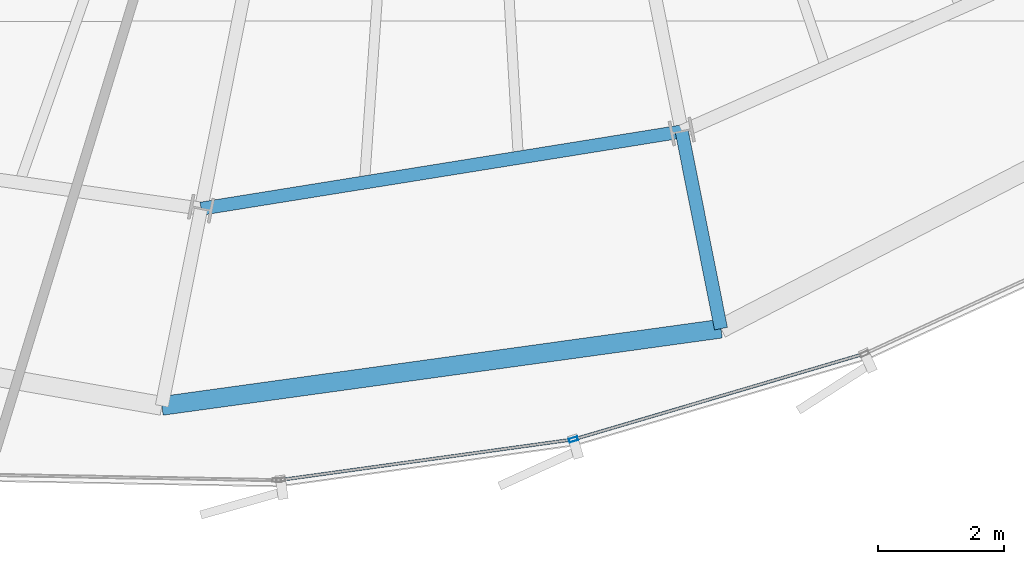
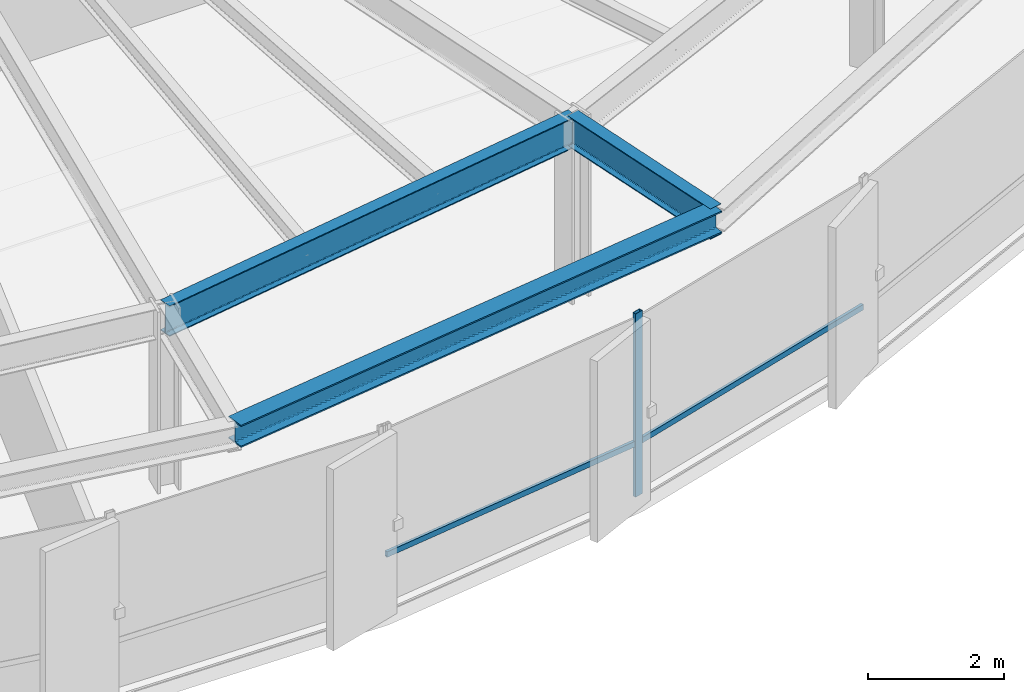
# One storey, part 6 of 36: 3 beams, 3 members, 1 element without a shape of its own.
"""IFC4 building model written with IfcOpenShell, lengths in metres."""

from ifc_helpers import new_model, si_unit, direction, frame, origin, origin_2d, place, context, subcontext, project, spatial, hollow_rectangle, i_section, extrude, source, transform, mapped, material, layer, layer_set, material_profile, profile_set, type_object, element, aggregate, save


model = new_model("IFC4")

# Units and contexts
model_context = context("Model", 3, precision=1e-05, world=origin(), true_north=direction((0.0, 1.0)))
body_context = subcontext(model_context, "Body", "Model", "MODEL_VIEW")
ifc_project = project(units=[si_unit("LENGTHUNIT", "METRE"), si_unit("AREAUNIT", "SQUARE_METRE"), si_unit("VOLUMEUNIT", "CUBIC_METRE"), si_unit("PLANEANGLEUNIT", "RADIAN"), si_unit("MASSUNIT", "GRAM", prefix="KILO"), si_unit("THERMODYNAMICTEMPERATUREUNIT", "KELVIN")], contexts=[model_context])

# Site, building, storey
site_placement = place(None, origin())
site = spatial("IfcSite", under=ifc_project, at=site_placement, CompositionType="ELEMENT")
building_placement = place(site_placement, origin())
building = spatial("IfcBuilding", under=site, at=building_placement, Name="Kethvar Cultural Tower", CompositionType="ELEMENT")
storey_placement = place(building_placement, frame((0.0, 0.0, 150.10009765625)))
storey = spatial("IfcBuildingStorey", under=building, at=storey_placement, Name="L38", CompositionType="ELEMENT", Elevation=150.10009765625)

# Beams
ifc_material_1 = material(Name="Steel S355J2", Category="steel")
ifc_material_profile_1 = material_profile(ifc_material_1, i_section(OverallWidth=0.2099609375, OverallDepth=0.550048828125, WebThickness=0.010986328125, FlangeThickness=0.01708984375, FilletRadius=0.02392578125, at=origin_2d()), Name="Steel S355J2 — IPE550")
ifc_profile_set_1 = profile_set([ifc_material_profile_1], Name="Steel S355J2 — IPE550")
beam_type_1 = type_object("IfcBeamType", Name="BM-IPE550", PredefinedType="BEAM", material=ifc_profile_set_1)
shared_shape_1 = source(origin(), body_context, "Body", "SweptSolid", [
    extrude(i_section(OverallWidth=0.2099609375, OverallDepth=0.550048828125, WebThickness=0.010986328125, FlangeThickness=0.01708984375, FilletRadius=0.02392578125, at=origin_2d()), origin(), (0.0, 0.0, 1.0), 3.2001953125),
])
beam_1_placement = place(storey_placement, frame((50.50341796875, 9.182373046875, 3.02294921875), z_axis=(0.195074368086, -0.980788453702, 0.0), x_axis=(0.980788453702, 0.195074368086, 0.0)))
element("IfcBeam", 1, at=beam_1_placement, inside=storey, type_object=beam_type_1, Name="L38 Perimeter Cantilever Beam RC-13", PredefinedType="BEAM", context=body_context, shape_type="MappedRepresentation", body=[
    mapped(shared_shape_1, transform((0.0, 0.0, 0.0), scale=1.0)),
])
shared_shape_2 = source(origin(), body_context, "Body", "SweptSolid", [
    extrude(i_section(OverallWidth=0.2099609375, OverallDepth=0.550048828125, WebThickness=0.010986328125, FlangeThickness=0.01708984375, FilletRadius=0.02392578125, at=origin_2d()), origin(), (0.0, 0.0, 1.0), 7.749267578125),
])
beam_2_placement = place(storey_placement, frame((42.852294921875, 7.95361328125, 3.02294921875), z_axis=(0.987348257569, 0.158566762831, 0.0), x_axis=(-0.158566762831, 0.987348257569, 0.0)))
element("IfcBeam", 2, at=beam_2_placement, inside=storey, type_object=beam_type_1, Name="L38 Column Ring Tie Beam CR-12", PredefinedType="BEAM", context=body_context, shape_type="MappedRepresentation", body=[
    mapped(shared_shape_2, transform((0.0, 0.0, 0.0), scale=1.0)),
])
ifc_material_profile_2 = material_profile(ifc_material_1, i_section(OverallWidth=0.300048828125, OverallDepth=0.39990234375, WebThickness=0.013427734375, FlangeThickness=0.02392578125, FilletRadius=0.027099609375, at=origin_2d()), Name="Steel S355J2 — HEB400")
ifc_profile_set_2 = profile_set([ifc_material_profile_2], Name="Steel S355J2 — HEB400")
beam_type_2 = type_object("IfcBeamType", Name="BM-SP400", PredefinedType="SPANDREL", material=ifc_profile_set_2)
shared_shape_3 = source(origin(), body_context, "Body", "SweptSolid", [
    extrude(i_section(OverallWidth=0.300048828125, OverallDepth=0.39990234375, WebThickness=0.013427734375, FlangeThickness=0.02392578125, FilletRadius=0.027099609375, at=origin_2d()), origin(), (0.0, 0.0, 1.0), 8.984130859375),
])
beam_3_placement = place(storey_placement, frame((42.22802734375, 4.81494140625, 3.097900390625), z_axis=(0.990602728928, 0.136770733127, 0.0), x_axis=(-0.136770733127, 0.990602728928, 0.0)))
element("IfcBeam", 3, at=beam_3_placement, inside=storey, type_object=beam_type_2, Name="L38 Perimeter Spandrel Beam SP-12", PredefinedType="SPANDREL", context=body_context, shape_type="MappedRepresentation", body=[
    mapped(shared_shape_3, transform((0.0, 0.0, 0.0), scale=1.0)),
])

# Curtain wall, members
ifc_material_2 = material(Name="Aluminium 6063-T6", Category="aluminium")
ifc_layer = layer(ifc_material_2, 0.179931640625, Name="Aluminium 6063-T6", Category="aluminium")
ifc_layer_set = layer_set([ifc_layer], Name="Aluminium 6063-T6 (180 mm)")
curtain_wall_type = type_object("IfcCurtainWallType", Name="CW-SYS-04-Z34", PredefinedType="NOTDEFINED", material=ifc_layer_set)
curtain_wall_placement = place(storey_placement, origin())
curtain_wall = element("IfcCurtainWall", 4, at=curtain_wall_placement, inside=storey, type_object=curtain_wall_type, Name="L38 Curtain Wall Run 05", PredefinedType="NOTDEFINED")
ifc_material_profile_3 = material_profile(ifc_material_2, hollow_rectangle(XDim=0.06005859375, YDim=0.139892578125, WallThickness=0.0048828125, at=origin_2d()), Name="Aluminium 6063-T6 — RHS140x60x5")
ifc_profile_set_3 = profile_set([ifc_material_profile_3], Name="Aluminium 6063-T6 — RHS140x60x5")
member_type_1 = type_object("IfcMemberType", Name="CW-SYS-04-Z34-MUL", PredefinedType="MULLION", material=ifc_profile_set_3)
shared_shape_4 = source(origin(), body_context, "Body", "SweptSolid", [
    extrude(hollow_rectangle(XDim=0.06005859375, YDim=0.139892578125, WallThickness=0.0048828125, at=origin_2d()), origin(), (0.0, 0.0, 1.0), 3.2998046875),
])
member_1_placement = place(storey_placement, frame((48.77734375, 4.27978515625, 0.0), z_axis=(0.0, 0.0, 1.0), x_axis=(-0.282542368898, 0.959254820044, 0.0)))
member_1 = element("IfcMember", 5, at=member_1_placement, type_object=member_type_1, Name="CW-L38-R05 Mullion 2", PredefinedType="MULLION", context=body_context, shape_type="MappedRepresentation", body=[
    mapped(shared_shape_4, transform((0.0, 0.0, 0.0), scale=1.0)),
])
ifc_material_profile_4 = material_profile(ifc_material_2, hollow_rectangle(XDim=0.050048828125, YDim=0.10009765625, WallThickness=0.00390625, at=origin_2d()), Name="Aluminium 6063-T6 — RHS100x50x4")
ifc_profile_set_4 = profile_set([ifc_material_profile_4], Name="Aluminium 6063-T6 — RHS100x50x4")
member_type_2 = type_object("IfcMemberType", Name="CW-SYS-04-Z34-TRN", PredefinedType="USERDEFINED", material=ifc_profile_set_4)
shared_shape_5 = source(origin(), body_context, "Body", "SweptSolid", [
    extrude(hollow_rectangle(XDim=0.050048828125, YDim=0.10009765625, WallThickness=0.00390625, at=origin_2d()), origin(), (0.0, 0.0, 1.0), 4.76318359375),
])
member_2_placement = place(storey_placement, frame((48.81884765625, 4.2919921875, 0.949951171875), z_axis=(0.9592462552, 0.282571445628, 0.0), x_axis=(-0.282571445628, 0.9592462552, 0.0)))
member_2 = element("IfcMember", 6, at=member_2_placement, type_object=member_type_2, Name="CW-L38-R05 Transom 2", ObjectType="TRANSOM", PredefinedType="USERDEFINED", context=body_context, shape_type="MappedRepresentation", body=[
    mapped(shared_shape_5, transform((0.0, 0.0, 0.0), scale=1.0)),
])
shared_shape_6 = source(origin(), body_context, "Body", "SweptSolid", [
    extrude(hollow_rectangle(XDim=0.050048828125, YDim=0.10009765625, WallThickness=0.00390625, at=origin_2d()), origin(), (0.0, 0.0, 1.0), 4.67138671875),
])
member_3_placement = place(storey_placement, frame((44.123291015625, 3.636962890625, 0.949951171875), z_axis=(0.990558822109, 0.137088365451, 0.0), x_axis=(-0.137088365451, 0.990558822109, 0.0)))
member_3 = element("IfcMember", 7, at=member_3_placement, type_object=member_type_2, Name="CW-L38-R05 Transom 1", ObjectType="TRANSOM", PredefinedType="USERDEFINED", context=body_context, shape_type="MappedRepresentation", body=[
    mapped(shared_shape_6, transform((0.0, 0.0, 0.0), scale=1.0)),
])
aggregate(curtain_wall, [member_1, member_3, member_2])

save(model, "model.ifc")
